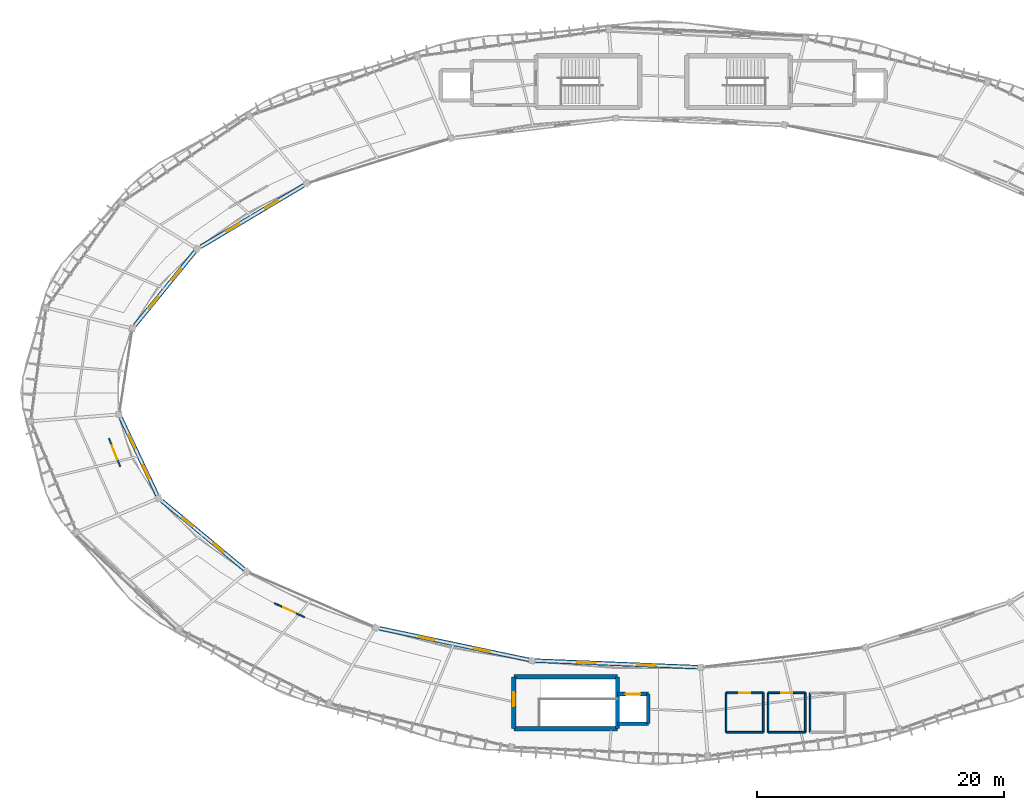
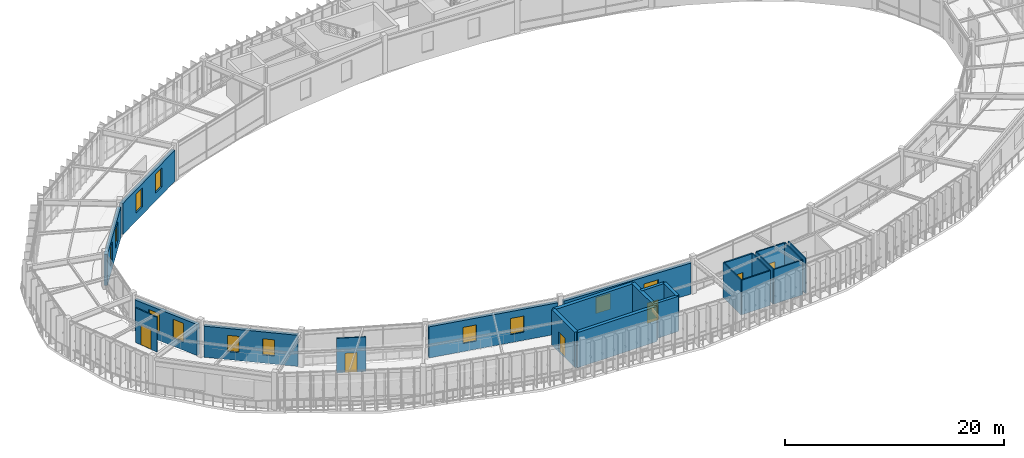
# One storey, part 68 of 78: 24 walls, 12 windows, 6 doors, 18 openings.
"""IFC4 building model written with IfcOpenShell, lengths in metres."""

from ifc_helpers import new_model, si_unit, direction, frame, frame_2d, origin, place, context, subcontext, project, spatial, rectangle, extrude, material, layer, layer_set, type_object, element, fill, save


model = new_model("IFC4")

# Units and contexts
model_context = context("Model", 3, precision=1e-05, world=origin(), true_north=direction((0.0, 1.0)))
body_context = subcontext(model_context, "Body", "Model", "MODEL_VIEW")
ifc_project = project(units=[si_unit("LENGTHUNIT", "METRE"), si_unit("AREAUNIT", "SQUARE_METRE"), si_unit("VOLUMEUNIT", "CUBIC_METRE"), si_unit("PLANEANGLEUNIT", "RADIAN"), si_unit("MASSUNIT", "GRAM", prefix="KILO"), si_unit("THERMODYNAMICTEMPERATUREUNIT", "KELVIN"), si_unit("POWERUNIT", "WATT")], contexts=[model_context])

# Site, building, storey
site_placement = place(None, origin())
site = spatial("IfcSite", under=ifc_project, at=site_placement, CompositionType="ELEMENT")
building_placement = place(site_placement, origin())
building = spatial("IfcBuilding", under=site, at=building_placement, Name="Darbajah Civic Hall", CompositionType="ELEMENT")
storey_placement = place(building_placement, frame((0.0, 0.0, 26.39990234375)))
storey = spatial("IfcBuildingStorey", under=building, at=storey_placement, Name="L06", CompositionType="ELEMENT", Elevation=26.39990234375)

# Wall, opening, door
ifc_material_1 = material(Name="Concrete C45/55", Category="concrete")
ifc_layer_1 = layer(ifc_material_1, 0.300048828125, Name="Concrete C45/55")
ifc_layer_set_1 = layer_set([ifc_layer_1], Name="Concrete C45/55")
wall_type_1 = type_object("IfcWallType", Name="Core Shear Wall 300mm", PredefinedType="SHEAR", material=ifc_layer_set_1)
wall_1_placement = place(storey_placement, frame((88.300048828125, 65.39990234375, 0.0), z_axis=(0.0, 0.0, 1.0), x_axis=(-1.0, 0.0, 0.0)))
wall_1 = element("IfcWall", 1, at=wall_1_placement, inside=storey, type_object=wall_type_1, Name="L06 lift PL1 shaft wall N", PredefinedType="SHEAR", context=body_context, shape_type="SweptSolid", body=[
    extrude(rectangle(XDim=2.5, YDim=0.300048828125, at=frame_2d((1.25, 0.0))), origin(), (0.0, 0.0, 1.0), 3.920166015625),
])
opening_1_placement = place(wall_1_placement, frame((0.64990234375, 0.0, 0.0)))
opening_1 = element("IfcOpeningElement", 2, at=opening_1_placement, cuts=wall_1, Name="Opening LD-0056", PredefinedType="OPENING", context=body_context, shape_type="SweptSolid", body=[
    extrude(rectangle(XDim=1.199951171875, YDim=2.25, at=frame_2d((0.60009765625, 1.125))), frame((0.0, 0.159912109375, 0.0), z_axis=(0.0, -1.0, 0.0), x_axis=(1.0, 0.0, 0.0)), (0.0, 0.0, 1.0), 0.320068359375),
])
ifc_material_2 = material(Name="Stainless Lift Landing Door")
door_type_1 = type_object("IfcDoorType", Name="Lift Landing Door 1200x2250", OperationType="SLIDING_TO_LEFT", PredefinedType="DOOR", material=ifc_material_2)
door_1_placement = place(opening_1_placement, origin())
door_1 = element("IfcDoor", 3, at=door_1_placement, inside=storey, type_object=door_type_1, Name="L06 lift PL1 landing door LD-0056", OperationType="SLIDING_TO_LEFT", OverallHeight=2.25, OverallWidth=1.199951171875, PredefinedType="DOOR", context=body_context, shape_type="SweptSolid", body=[
    extrude(rectangle(XDim=1.199951171875, YDim=2.25, at=frame_2d((0.60009765625, 1.125))), frame((0.0, 0.02490234375, 0.0), z_axis=(0.0, -1.0, 0.0), x_axis=(1.0, 0.0, 0.0)), (0.0, 0.0, 1.0), 0.050048828125),
])
fill(opening_1, door_1)

# Walls
wall_2_placement = place(storey_placement, frame((85.800048828125, 63.0, 0.0), z_axis=(0.0, 0.0, 1.0), x_axis=(1.0, 0.0, 0.0)))
element("IfcWall", 4, at=wall_2_placement, inside=storey, type_object=wall_type_1, Name="L06 lift PL1 shaft wall S", PredefinedType="SHEAR", context=body_context, shape_type="SweptSolid", body=[
    extrude(rectangle(XDim=2.5, YDim=0.300048828125, at=frame_2d((1.25, 0.0))), origin(), (0.0, 0.0, 1.0), 3.920166015625),
])
wall_3_placement = place(storey_placement, frame((88.300048828125, 63.0, 0.0), z_axis=(0.0, 0.0, 1.0), x_axis=(0.0, 1.0, 0.0)))
element("IfcWall", 5, at=wall_3_placement, inside=storey, type_object=wall_type_1, Name="L06 lift PL1 shaft wall E", PredefinedType="SHEAR", context=body_context, shape_type="SweptSolid", body=[
    extrude(rectangle(XDim=2.39990234375, YDim=0.300048828125, at=frame_2d((1.199951171875, 0.0))), origin(), (0.0, 0.0, 1.0), 3.920166015625),
])
ifc_material_3 = material(Name="Concrete C50/60", Category="concrete")
ifc_layer_2 = layer(ifc_material_3, 0.35009765625, Name="Concrete C50/60")
ifc_layer_set_2 = layer_set([ifc_layer_2], Name="Concrete C50/60")
wall_type_2 = type_object("IfcWallType", Name="Core Shear Wall 350mm", PredefinedType="SHEAR", material=ifc_layer_set_2)
wall_4_placement = place(storey_placement, frame((77.39990234375, 62.60009765625, 0.0), z_axis=(0.0, 0.0, 1.0), x_axis=(1.0, 0.0, 0.0)))
element("IfcWall", 6, at=wall_4_placement, inside=storey, type_object=wall_type_2, Name="L06 core C03 shear wall S", PredefinedType="SHEAR", context=body_context, shape_type="SweptSolid", body=[
    extrude(rectangle(XDim=8.400146484375, YDim=0.35009765625, at=frame_2d((4.2001953125, 0.0))), origin(), (0.0, 0.0, 1.0), 3.920166015625),
])
wall_5_placement = place(storey_placement, frame((85.800048828125, 62.60009765625, 0.0), z_axis=(0.0, 0.0, 1.0), x_axis=(0.0, 1.0, 0.0)))
element("IfcWall", 7, at=wall_5_placement, inside=storey, type_object=wall_type_2, Name="L06 core C03 shear wall E", PredefinedType="SHEAR", context=body_context, shape_type="SweptSolid", body=[
    extrude(rectangle(XDim=4.199951171875, YDim=0.35009765625, at=frame_2d((2.10009765625, 0.0))), origin(), (0.0, 0.0, 1.0), 3.920166015625),
])
wall_6_placement = place(storey_placement, frame((85.800048828125, 66.800048828125, 0.0), z_axis=(0.0, 0.0, 1.0), x_axis=(-1.0, 0.0, 0.0)))
element("IfcWall", 8, at=wall_6_placement, inside=storey, type_object=wall_type_2, Name="L06 core C03 shear wall N", PredefinedType="SHEAR", context=body_context, shape_type="SweptSolid", body=[
    extrude(rectangle(XDim=8.400146484375, YDim=0.35009765625, at=frame_2d((4.2001953125, 0.0))), origin(), (0.0, 0.0, 1.0), 3.920166015625),
])

# Wall, opening, door
wall_7_placement = place(storey_placement, frame((77.39990234375, 66.800048828125, 0.0), z_axis=(0.0, 0.0, 1.0), x_axis=(0.0, -1.0, 0.0)))
wall_7 = element("IfcWall", 9, at=wall_7_placement, inside=storey, type_object=wall_type_2, Name="L06 core C03 shear wall W", PredefinedType="SHEAR", context=body_context, shape_type="SweptSolid", body=[
    extrude(rectangle(XDim=4.199951171875, YDim=0.35009765625, at=frame_2d((2.10009765625, 0.0))), origin(), (0.0, 0.0, 1.0), 3.920166015625),
])
opening_2_placement = place(wall_7_placement, frame((1.25, 0.0, 0.0)))
opening_2 = element("IfcOpeningElement", 10, at=opening_2_placement, cuts=wall_7, Name="Opening SD-0049", PredefinedType="OPENING", context=body_context, shape_type="SweptSolid", body=[
    extrude(rectangle(XDim=1.14990234375, YDim=2.199951171875, at=frame_2d((0.574951171875, 1.10009765625))), frame((0.0, 0.18505859375, 0.0), z_axis=(0.0, -1.0, 0.0), x_axis=(1.0, 0.0, 0.0)), (0.0, 0.0, 1.0), 0.3701171875),
])
ifc_material_4 = material(Name="Steel Rated Core Door", Category="steel")
door_type_2 = type_object("IfcDoorType", Name="Interior Door 1150x2200", OperationType="NOTDEFINED", PredefinedType="DOOR", material=ifc_material_4)
door_2_placement = place(opening_2_placement, origin())
door_2 = element("IfcDoor", 11, at=door_2_placement, inside=storey, type_object=door_type_2, Name="L06 stair ST03 fire door SD-0049", OperationType="SINGLE_SWING_RIGHT", OverallHeight=2.199951171875, OverallWidth=1.14990234375, PredefinedType="DOOR", context=body_context, shape_type="SweptSolid", body=[
    extrude(rectangle(XDim=1.14990234375, YDim=2.199951171875, at=frame_2d((0.574951171875, 1.10009765625))), frame((0.0, 0.02490234375, 0.0), z_axis=(0.0, -1.0, 0.0), x_axis=(1.0, 0.0, 0.0)), (0.0, 0.0, 1.0), 0.050048828125),
])
fill(opening_2, door_2)

# Wall, openings, windows
ifc_material_5 = material(Name="Qatari Desert Limestone Ashlar", Category="masonry")
ifc_layer_3 = layer(ifc_material_5, 0.340087890625, Name="Qatari Desert Limestone Ashlar")
ifc_layer_set_3 = layer_set([ifc_layer_3], Name="Qatari Desert Limestone Ashlar")
wall_type_3 = type_object("IfcWallType", Name="Exterior Wall 340mm", PredefinedType="SOLIDWALL", material=ifc_layer_set_3)
wall_8_placement = place(storey_placement, frame((60.40478515625, 106.6083984375, 0.0), z_axis=(0.0, 0.0, 1.0), x_axis=(-0.858952703764, -0.512054931327, 0.0)))
wall_8 = element("IfcWall", 12, at=wall_8_placement, inside=storey, type_object=wall_type_3, Name="L06 exterior wall EW-340", PredefinedType="SOLIDWALL", context=body_context, shape_type="SweptSolid", body=[
    extrude(rectangle(XDim=9.731201171875, YDim=0.340087890625, at=frame_2d((4.86572265625, 0.0))), origin(), (0.0, 0.0, 1.0), 3.463134765625),
])
opening_3_placement = place(wall_8_placement, frame((2.443603515625, 0.0, 0.89990234375)))
opening_3 = element("IfcOpeningElement", 13, at=opening_3_placement, cuts=wall_8, Name="Opening WN-01", PredefinedType="OPENING", context=body_context, shape_type="SweptSolid", body=[
    extrude(rectangle(XDim=1.199951171875, YDim=2.10009765625, at=frame_2d((0.60009765625, 1.050048828125))), frame((0.0, 0.179931640625, 0.0), z_axis=(0.0, -1.0, 0.0), x_axis=(1.0, 0.0, 0.0)), (0.0, 0.0, 1.0), 0.360107421875),
])
opening_4_placement = place(wall_8_placement, frame((6.08740234375, 0.0, 0.89990234375)))
opening_4 = element("IfcOpeningElement", 14, at=opening_4_placement, cuts=wall_8, Name="Opening WN-01", PredefinedType="OPENING", context=body_context, shape_type="SweptSolid", body=[
    extrude(rectangle(XDim=1.199951171875, YDim=2.10009765625, at=frame_2d((0.60009765625, 1.050048828125))), frame((0.0, 0.179931640625, 0.0), z_axis=(0.0, -1.0, 0.0), x_axis=(1.0, 0.0, 0.0)), (0.0, 0.0, 1.0), 0.360107421875),
])
ifc_material_6 = material(Name="Low-E Solar Control Double Glazing", Category="glass")
window_type_1 = type_object("IfcWindowType", Name="Facade Window 1200x2100", PartitioningType="SINGLE_PANEL", PredefinedType="WINDOW", material=ifc_material_6)
window_1_placement = place(opening_3_placement, origin())
window_1 = element("IfcWindow", 15, at=window_1_placement, inside=storey, type_object=window_type_1, Name="L06 facade window WN-01", OverallHeight=2.10009765625, OverallWidth=1.199951171875, PartitioningType="SINGLE_PANEL", PredefinedType="WINDOW", context=body_context, shape_type="SweptSolid", body=[
    extrude(rectangle(XDim=1.199951171875, YDim=2.10009765625, at=frame_2d((0.60009765625, 1.050048828125))), frame((0.0, 0.030029296875, 0.0), z_axis=(0.0, -1.0, 0.0), x_axis=(1.0, 0.0, 0.0)), (0.0, 0.0, 1.0), 0.06005859375),
])
fill(opening_3, window_1)
window_2_placement = place(opening_4_placement, origin())
window_2 = element("IfcWindow", 16, at=window_2_placement, inside=storey, type_object=window_type_1, Name="L06 facade window WN-01", OverallHeight=2.10009765625, OverallWidth=1.199951171875, PartitioningType="SINGLE_PANEL", PredefinedType="WINDOW", context=body_context, shape_type="SweptSolid", body=[
    extrude(rectangle(XDim=1.199951171875, YDim=2.10009765625, at=frame_2d((0.60009765625, 1.050048828125))), frame((0.0, 0.030029296875, 0.0), z_axis=(0.0, -1.0, 0.0), x_axis=(1.0, 0.0, 0.0)), (0.0, 0.0, 1.0), 0.06005859375),
])
fill(opening_4, window_2)

wall_9_placement = place(storey_placement, frame((51.57568359375, 101.232177734375, 0.0), z_axis=(0.0, 0.0, 1.0), x_axis=(-0.631088438645, -0.775710888546, 0.0)))
wall_9 = element("IfcWall", 17, at=wall_9_placement, inside=storey, type_object=wall_type_3, Name="L06 exterior wall EW-340", PredefinedType="SOLIDWALL", context=body_context, shape_type="SweptSolid", body=[
    extrude(rectangle(XDim=7.691162109375, YDim=0.340087890625, at=frame_2d((3.845703125, 0.0))), origin(), (0.0, 0.0, 1.0), 3.463134765625),
])
opening_5_placement = place(wall_9_placement, frame((1.763916015625, 0.0, 0.89990234375)))
opening_5 = element("IfcOpeningElement", 18, at=opening_5_placement, cuts=wall_9, Name="Opening WN-01", PredefinedType="OPENING", context=body_context, shape_type="SweptSolid", body=[
    extrude(rectangle(XDim=1.199951171875, YDim=2.10009765625, at=frame_2d((0.60009765625, 1.050048828125))), frame((0.0, 0.179931640625, 0.0), z_axis=(0.0, -1.0, 0.0), x_axis=(1.0, 0.0, 0.0)), (0.0, 0.0, 1.0), 0.360107421875),
])
opening_6_placement = place(wall_9_placement, frame((4.7275390625, 0.0, 0.89990234375)))
opening_6 = element("IfcOpeningElement", 19, at=opening_6_placement, cuts=wall_9, Name="Opening WN-01", PredefinedType="OPENING", context=body_context, shape_type="SweptSolid", body=[
    extrude(rectangle(XDim=1.199951171875, YDim=2.10009765625, at=frame_2d((0.60009765625, 1.050048828125))), frame((0.0, 0.179931640625, 0.0), z_axis=(0.0, -1.0, 0.0), x_axis=(1.0, 0.0, 0.0)), (0.0, 0.0, 1.0), 0.360107421875),
])
window_3_placement = place(opening_5_placement, origin())
window_3 = element("IfcWindow", 20, at=window_3_placement, inside=storey, type_object=window_type_1, Name="L06 facade window WN-01", OverallHeight=2.10009765625, OverallWidth=1.199951171875, PartitioningType="SINGLE_PANEL", PredefinedType="WINDOW", context=body_context, shape_type="SweptSolid", body=[
    extrude(rectangle(XDim=1.199951171875, YDim=2.10009765625, at=frame_2d((0.60009765625, 1.050048828125))), frame((0.0, 0.030029296875, 0.0), z_axis=(0.0, -1.0, 0.0), x_axis=(1.0, 0.0, 0.0)), (0.0, 0.0, 1.0), 0.06005859375),
])
fill(opening_5, window_3)
window_4_placement = place(opening_6_placement, origin())
window_4 = element("IfcWindow", 21, at=window_4_placement, inside=storey, type_object=window_type_1, Name="L06 facade window WN-01", OverallHeight=2.10009765625, OverallWidth=1.199951171875, PartitioningType="SINGLE_PANEL", PredefinedType="WINDOW", context=body_context, shape_type="SweptSolid", body=[
    extrude(rectangle(XDim=1.199951171875, YDim=2.10009765625, at=frame_2d((0.60009765625, 1.050048828125))), frame((0.0, 0.030029296875, 0.0), z_axis=(0.0, -1.0, 0.0), x_axis=(1.0, 0.0, 0.0)), (0.0, 0.0, 1.0), 0.06005859375),
])
fill(opening_6, window_4)

wall_10_placement = place(storey_placement, frame((45.5732421875, 87.757080078125, 0.0), z_axis=(0.0, 0.0, 1.0), x_axis=(0.42649766166, -0.904488664715, 0.0)))
wall_10 = element("IfcWall", 22, at=wall_10_placement, inside=storey, type_object=wall_type_3, Name="L06 exterior wall EW-340", PredefinedType="SOLIDWALL", context=body_context, shape_type="SweptSolid", body=[
    extrude(rectangle(XDim=6.91259765625, YDim=0.340087890625, at=frame_2d((3.456298828125, 0.0))), origin(), (0.0, 0.0, 1.0), 3.463134765625),
])
opening_7_placement = place(wall_10_placement, frame((1.504150390625, 0.0, 0.89990234375)))
opening_7 = element("IfcOpeningElement", 23, at=opening_7_placement, cuts=wall_10, Name="Opening WN-01", PredefinedType="OPENING", context=body_context, shape_type="SweptSolid", body=[
    extrude(rectangle(XDim=1.199951171875, YDim=2.10009765625, at=frame_2d((0.60009765625, 1.050048828125))), frame((0.0, 0.179931640625, 0.0), z_axis=(0.0, -1.0, 0.0), x_axis=(1.0, 0.0, 0.0)), (0.0, 0.0, 1.0), 0.360107421875),
])
opening_8_placement = place(wall_10_placement, frame((4.20849609375, 0.0, 0.89990234375)))
opening_8 = element("IfcOpeningElement", 24, at=opening_8_placement, cuts=wall_10, Name="Opening WN-01", PredefinedType="OPENING", context=body_context, shape_type="SweptSolid", body=[
    extrude(rectangle(XDim=1.199951171875, YDim=2.10009765625, at=frame_2d((0.60009765625, 1.050048828125))), frame((0.0, 0.179931640625, 0.0), z_axis=(0.0, -1.0, 0.0), x_axis=(1.0, 0.0, 0.0)), (0.0, 0.0, 1.0), 0.360107421875),
])
window_5_placement = place(opening_7_placement, origin())
window_5 = element("IfcWindow", 25, at=window_5_placement, inside=storey, type_object=window_type_1, Name="L06 facade window WN-01", OverallHeight=2.10009765625, OverallWidth=1.199951171875, PartitioningType="SINGLE_PANEL", PredefinedType="WINDOW", context=body_context, shape_type="SweptSolid", body=[
    extrude(rectangle(XDim=1.199951171875, YDim=2.10009765625, at=frame_2d((0.60009765625, 1.050048828125))), frame((0.0, 0.030029296875, 0.0), z_axis=(0.0, -1.0, 0.0), x_axis=(1.0, 0.0, 0.0)), (0.0, 0.0, 1.0), 0.06005859375),
])
fill(opening_7, window_5)
window_6_placement = place(opening_8_placement, origin())
window_6 = element("IfcWindow", 26, at=window_6_placement, inside=storey, type_object=window_type_1, Name="L06 facade window WN-01", OverallHeight=2.10009765625, OverallWidth=1.199951171875, PartitioningType="SINGLE_PANEL", PredefinedType="WINDOW", context=body_context, shape_type="SweptSolid", body=[
    extrude(rectangle(XDim=1.199951171875, YDim=2.10009765625, at=frame_2d((0.60009765625, 1.050048828125))), frame((0.0, 0.030029296875, 0.0), z_axis=(0.0, -1.0, 0.0), x_axis=(1.0, 0.0, 0.0)), (0.0, 0.0, 1.0), 0.06005859375),
])
fill(opening_8, window_6)

wall_11_placement = place(storey_placement, frame((48.8955078125, 81.049072265625, 0.0), z_axis=(0.0, 0.0, 1.0), x_axis=(0.76916356776, -0.639051958788, 0.0)))
wall_11 = element("IfcWall", 27, at=wall_11_placement, inside=storey, type_object=wall_type_3, Name="L06 exterior wall EW-340", PredefinedType="SOLIDWALL", context=body_context, shape_type="SweptSolid", body=[
    extrude(rectangle(XDim=8.67822265625, YDim=0.340087890625, at=frame_2d((4.339111328125, 0.0))), origin(), (0.0, 0.0, 1.0), 3.463134765625),
])
opening_9_placement = place(wall_11_placement, frame((2.159423828125, 0.0, 0.89990234375)))
opening_9 = element("IfcOpeningElement", 28, at=opening_9_placement, cuts=wall_11, Name="Opening WN-17", PredefinedType="OPENING", context=body_context, shape_type="SweptSolid", body=[
    extrude(rectangle(XDim=1.10009765625, YDim=1.800048828125, at=frame_2d((0.550048828125, 0.89990234375))), frame((0.0, 0.179931640625, 0.0), z_axis=(0.0, -1.0, 0.0), x_axis=(1.0, 0.0, 0.0)), (0.0, 0.0, 1.0), 0.360107421875),
])
opening_10_placement = place(wall_11_placement, frame((5.4189453125, 0.0, 0.89990234375)))
opening_10 = element("IfcOpeningElement", 29, at=opening_10_placement, cuts=wall_11, Name="Opening WN-17", PredefinedType="OPENING", context=body_context, shape_type="SweptSolid", body=[
    extrude(rectangle(XDim=1.10009765625, YDim=1.800048828125, at=frame_2d((0.550048828125, 0.89990234375))), frame((0.0, 0.179931640625, 0.0), z_axis=(0.0, -1.0, 0.0), x_axis=(1.0, 0.0, 0.0)), (0.0, 0.0, 1.0), 0.360107421875),
])
window_type_2 = type_object("IfcWindowType", Name="Facade Window 1100x1800", PartitioningType="SINGLE_PANEL", PredefinedType="WINDOW", material=ifc_material_6)
window_7_placement = place(opening_9_placement, origin())
window_7 = element("IfcWindow", 30, at=window_7_placement, inside=storey, type_object=window_type_2, Name="L06 facade window WN-17", OverallHeight=1.800048828125, OverallWidth=1.10009765625, PartitioningType="SINGLE_PANEL", PredefinedType="WINDOW", context=body_context, shape_type="SweptSolid", body=[
    extrude(rectangle(XDim=1.10009765625, YDim=1.800048828125, at=frame_2d((0.550048828125, 0.89990234375))), frame((0.0, 0.030029296875, 0.0), z_axis=(0.0, -1.0, 0.0), x_axis=(1.0, 0.0, 0.0)), (0.0, 0.0, 1.0), 0.06005859375),
])
fill(opening_9, window_7)
window_8_placement = place(opening_10_placement, origin())
window_8 = element("IfcWindow", 31, at=window_8_placement, inside=storey, type_object=window_type_2, Name="L06 facade window WN-17", OverallHeight=1.800048828125, OverallWidth=1.10009765625, PartitioningType="SINGLE_PANEL", PredefinedType="WINDOW", context=body_context, shape_type="SweptSolid", body=[
    extrude(rectangle(XDim=1.10009765625, YDim=1.800048828125, at=frame_2d((0.550048828125, 0.89990234375))), frame((0.0, 0.030029296875, 0.0), z_axis=(0.0, -1.0, 0.0), x_axis=(1.0, 0.0, 0.0)), (0.0, 0.0, 1.0), 0.06005859375),
])
fill(opening_10, window_8)

wall_12_placement = place(storey_placement, frame((66.529052734375, 70.7197265625, 0.0), z_axis=(0.0, 0.0, 1.0), x_axis=(0.978481192581, -0.206336026337, 0.0)))
wall_12 = element("IfcWall", 32, at=wall_12_placement, inside=storey, type_object=wall_type_3, Name="L06 exterior wall EW-340", PredefinedType="SOLIDWALL", context=body_context, shape_type="SweptSolid", body=[
    extrude(rectangle(XDim=12.358642578125, YDim=0.340087890625, at=frame_2d((6.17919921875, 0.0))), origin(), (0.0, 0.0, 1.0), 3.463134765625),
])
opening_11_placement = place(wall_12_placement, frame((3.2529296875, 0.0, 0.89990234375)))
opening_11 = element("IfcOpeningElement", 33, at=opening_11_placement, cuts=wall_12, Name="Opening WN-18", PredefinedType="OPENING", context=body_context, shape_type="SweptSolid", body=[
    extrude(rectangle(XDim=1.300048828125, YDim=1.800048828125, at=frame_2d((0.64990234375, 0.89990234375))), frame((0.0, 0.179931640625, 0.0), z_axis=(0.0, -1.0, 0.0), x_axis=(1.0, 0.0, 0.0)), (0.0, 0.0, 1.0), 0.360107421875),
])
opening_12_placement = place(wall_12_placement, frame((7.805908203125, 0.0, 0.89990234375)))
opening_12 = element("IfcOpeningElement", 34, at=opening_12_placement, cuts=wall_12, Name="Opening WN-18", PredefinedType="OPENING", context=body_context, shape_type="SweptSolid", body=[
    extrude(rectangle(XDim=1.300048828125, YDim=1.800048828125, at=frame_2d((0.64990234375, 0.89990234375))), frame((0.0, 0.179931640625, 0.0), z_axis=(0.0, -1.0, 0.0), x_axis=(1.0, 0.0, 0.0)), (0.0, 0.0, 1.0), 0.360107421875),
])
window_type_3 = type_object("IfcWindowType", Name="Facade Window 1300x1800", PartitioningType="SINGLE_PANEL", PredefinedType="WINDOW", material=ifc_material_6)
window_9_placement = place(opening_11_placement, origin())
window_9 = element("IfcWindow", 35, at=window_9_placement, inside=storey, type_object=window_type_3, Name="L06 facade window WN-18", OverallHeight=1.800048828125, OverallWidth=1.300048828125, PartitioningType="SINGLE_PANEL", PredefinedType="WINDOW", context=body_context, shape_type="SweptSolid", body=[
    extrude(rectangle(XDim=1.300048828125, YDim=1.800048828125, at=frame_2d((0.64990234375, 0.89990234375))), frame((0.0, 0.030029296875, 0.0), z_axis=(0.0, -1.0, 0.0), x_axis=(1.0, 0.0, 0.0)), (0.0, 0.0, 1.0), 0.06005859375),
])
fill(opening_11, window_9)
window_10_placement = place(opening_12_placement, origin())
window_10 = element("IfcWindow", 36, at=window_10_placement, inside=storey, type_object=window_type_3, Name="L06 facade window WN-18", OverallHeight=1.800048828125, OverallWidth=1.300048828125, PartitioningType="SINGLE_PANEL", PredefinedType="WINDOW", context=body_context, shape_type="SweptSolid", body=[
    extrude(rectangle(XDim=1.300048828125, YDim=1.800048828125, at=frame_2d((0.64990234375, 0.89990234375))), frame((0.0, 0.030029296875, 0.0), z_axis=(0.0, -1.0, 0.0), x_axis=(1.0, 0.0, 0.0)), (0.0, 0.0, 1.0), 0.06005859375),
])
fill(opening_12, window_10)

wall_13_placement = place(storey_placement, frame((79.170654296875, 68.1044921875, 0.0), z_axis=(0.0, 0.0, 1.0), x_axis=(0.999197261913, -0.040060351782, 0.0)))
wall_13 = element("IfcWall", 37, at=wall_13_placement, inside=storey, type_object=wall_type_3, Name="L06 exterior wall EW-340", PredefinedType="SOLIDWALL", context=body_context, shape_type="SweptSolid", body=[
    extrude(rectangle(XDim=13.0966796875, YDim=0.340087890625, at=frame_2d((6.54833984375, 0.0))), origin(), (0.0, 0.0, 1.0), 3.463134765625),
])
opening_13_placement = place(wall_13_placement, frame((3.365478515625, 0.0, 0.89990234375)))
opening_13 = element("IfcOpeningElement", 38, at=opening_13_placement, cuts=wall_13, Name="Opening WN-19", PredefinedType="OPENING", context=body_context, shape_type="SweptSolid", body=[
    extrude(rectangle(XDim=1.5, YDim=1.800048828125, at=frame_2d((0.75, 0.89990234375))), frame((0.0, 0.179931640625, 0.0), z_axis=(0.0, -1.0, 0.0), x_axis=(1.0, 0.0, 0.0)), (0.0, 0.0, 1.0), 0.360107421875),
])
opening_14_placement = place(wall_13_placement, frame((8.231201171875, 0.0, 0.89990234375)))
opening_14 = element("IfcOpeningElement", 39, at=opening_14_placement, cuts=wall_13, Name="Opening WN-19", PredefinedType="OPENING", context=body_context, shape_type="SweptSolid", body=[
    extrude(rectangle(XDim=1.5, YDim=1.800048828125, at=frame_2d((0.75, 0.89990234375))), frame((0.0, 0.179931640625, 0.0), z_axis=(0.0, -1.0, 0.0), x_axis=(1.0, 0.0, 0.0)), (0.0, 0.0, 1.0), 0.360107421875),
])
window_type_4 = type_object("IfcWindowType", Name="Facade Window 1500x1800", PartitioningType="SINGLE_PANEL", PredefinedType="WINDOW", material=ifc_material_6)
window_11_placement = place(opening_13_placement, origin())
window_11 = element("IfcWindow", 40, at=window_11_placement, inside=storey, type_object=window_type_4, Name="L06 facade window WN-19", OverallHeight=1.800048828125, OverallWidth=1.5, PartitioningType="SINGLE_PANEL", PredefinedType="WINDOW", context=body_context, shape_type="SweptSolid", body=[
    extrude(rectangle(XDim=1.5, YDim=1.800048828125, at=frame_2d((0.75, 0.89990234375))), frame((0.0, 0.030029296875, 0.0), z_axis=(0.0, -1.0, 0.0), x_axis=(1.0, 0.0, 0.0)), (0.0, 0.0, 1.0), 0.06005859375),
])
fill(opening_13, window_11)
window_12_placement = place(opening_14_placement, origin())
window_12 = element("IfcWindow", 41, at=window_12_placement, inside=storey, type_object=window_type_4, Name="L06 facade window WN-19", OverallHeight=1.800048828125, OverallWidth=1.5, PartitioningType="SINGLE_PANEL", PredefinedType="WINDOW", context=body_context, shape_type="SweptSolid", body=[
    extrude(rectangle(XDim=1.5, YDim=1.800048828125, at=frame_2d((0.75, 0.89990234375))), frame((0.0, 0.030029296875, 0.0), z_axis=(0.0, -1.0, 0.0), x_axis=(1.0, 0.0, 0.0)), (0.0, 0.0, 1.0), 0.06005859375),
])
fill(opening_14, window_12)

# Wall, opening, door
ifc_material_7 = material(Name="Acoustic Gypsum Partition")
ifc_layer_4 = layer(ifc_material_7, 0.114990234375, Name="Acoustic Gypsum Partition")
ifc_layer_set_4 = layer_set([ifc_layer_4], Name="Acoustic Gypsum Partition")
wall_type_4 = type_object("IfcWallType", Name="Interior Partition 115mm", PredefinedType="PARTITIONING", material=ifc_layer_set_4)
wall_14_placement = place(storey_placement, frame((60.444580078125, 71.628173828125, 0.0), z_axis=(0.0, 0.0, 1.0), x_axis=(-0.907290218326, 0.420505005595, 0.0)))
wall_14 = element("IfcWall", 42, at=wall_14_placement, inside=storey, type_object=wall_type_4, Name="L06 interior partition L06-V1-06", PredefinedType="PARTITIONING", context=body_context, shape_type="SweptSolid", body=[
    extrude(rectangle(XDim=2.674072265625, YDim=0.114990234375, at=frame_2d((1.3369140625, 0.0))), origin(), (0.0, 0.0, 1.0), 3.860107421875),
])
opening_15_placement = place(wall_14_placement, frame((0.787109375, 0.0, 0.0)))
opening_15 = element("IfcOpeningElement", 43, at=opening_15_placement, cuts=wall_14, Name="Opening D-0270", PredefinedType="OPENING", context=body_context, shape_type="SweptSolid", body=[
    extrude(rectangle(XDim=1.10009765625, YDim=2.14990234375, at=frame_2d((0.550048828125, 1.074951171875))), frame((0.0, 0.0673828125, 0.0), z_axis=(0.0, -1.0, 0.0), x_axis=(1.0, 0.0, 0.0)), (0.0, 0.0, 1.0), 0.135009765625),
])
ifc_material_8 = material(Name="Acoustic Oak Office Door")
door_type_3 = type_object("IfcDoorType", Name="Interior Door 1100x2150", OperationType="NOTDEFINED", PredefinedType="DOOR", material=ifc_material_8)
door_3_placement = place(opening_15_placement, origin())
door_3 = element("IfcDoor", 44, at=door_3_placement, inside=storey, type_object=door_type_3, Name="L06 L06-V1-06 door D-0270", OperationType="SINGLE_SWING_LEFT", OverallHeight=2.14990234375, OverallWidth=1.10009765625, PredefinedType="DOOR", context=body_context, shape_type="SweptSolid", body=[
    extrude(rectangle(XDim=1.10009765625, YDim=2.14990234375, at=frame_2d((0.550048828125, 1.074951171875))), frame((0.0, 0.02490234375, 0.0), z_axis=(0.0, -1.0, 0.0), x_axis=(1.0, 0.0, 0.0)), (0.0, 0.0, 1.0), 0.050048828125),
])
fill(opening_15, door_3)

ifc_material_9 = material(Name="Gypsum Plasterboard on Steel Stud", Category="steel")
ifc_layer_5 = layer(ifc_material_9, 0.135009765625, Name="Gypsum Plasterboard on Steel Stud")
ifc_layer_set_5 = layer_set([ifc_layer_5], Name="Gypsum Plasterboard on Steel Stud")
wall_type_5 = type_object("IfcWallType", Name="Interior Partition 135mm", PredefinedType="PARTITIONING", material=ifc_layer_set_5)
wall_15_placement = place(storey_placement, frame((45.53466796875, 83.80419921875, 0.0), z_axis=(0.0, 0.0, 1.0), x_axis=(-0.37328182153, 0.927717996869, 0.0)))
wall_15 = element("IfcWall", 45, at=wall_15_placement, inside=storey, type_object=wall_type_5, Name="L06 interior partition L06-V1-05", PredefinedType="PARTITIONING", context=body_context, shape_type="SweptSolid", body=[
    extrude(rectangle(XDim=2.491943359375, YDim=0.135009765625, at=frame_2d((1.24609375, 0.0))), origin(), (0.0, 0.0, 1.0), 3.860107421875),
])
opening_16_placement = place(wall_15_placement, frame((0.64599609375, 0.0, 0.0)))
opening_16 = element("IfcOpeningElement", 46, at=opening_16_placement, cuts=wall_15, Name="Opening D-0269", PredefinedType="OPENING", context=body_context, shape_type="SweptSolid", body=[
    extrude(rectangle(XDim=1.199951171875, YDim=2.199951171875, at=frame_2d((0.60009765625, 1.10009765625))), frame((0.0, 0.077392578125, 0.0), z_axis=(0.0, -1.0, 0.0), x_axis=(1.0, 0.0, 0.0)), (0.0, 0.0, 1.0), 0.155029296875),
])
ifc_material_10 = material(Name="Painted Hardwood Fire Door", Category="wood")
door_type_4 = type_object("IfcDoorType", Name="Interior Door 1200x2200", OperationType="NOTDEFINED", PredefinedType="DOOR", material=ifc_material_10)
door_4_placement = place(opening_16_placement, origin())
door_4 = element("IfcDoor", 47, at=door_4_placement, inside=storey, type_object=door_type_4, Name="L06 L06-V1-05 door D-0269", OperationType="SINGLE_SWING_RIGHT", OverallHeight=2.199951171875, OverallWidth=1.199951171875, PredefinedType="DOOR", context=body_context, shape_type="SweptSolid", body=[
    extrude(rectangle(XDim=1.199951171875, YDim=2.199951171875, at=frame_2d((0.60009765625, 1.10009765625))), frame((0.0, 0.02490234375, 0.0), z_axis=(0.0, -1.0, 0.0), x_axis=(1.0, 0.0, 0.0)), (0.0, 0.0, 1.0), 0.050048828125),
])
fill(opening_16, door_4)

# Walls
wall_16_placement = place(storey_placement, frame((94.60009765625, 62.300048828125, 0.0), z_axis=(0.0, 0.0, 1.0), x_axis=(1.0, 0.0, 0.0)))
element("IfcWall", 48, at=wall_16_placement, inside=storey, type_object=wall_type_5, Name="L06 restroom enclosure wall L06-WCM S", PredefinedType="PARTITIONING", context=body_context, shape_type="SweptSolid", body=[
    extrude(rectangle(XDim=3.0, YDim=0.135009765625, at=frame_2d((1.5, 0.0))), origin(), (0.0, 0.0, 1.0), 3.860107421875),
])
for number, where, z_axis, x_axis, name in (
    (49, (97.60009765625, 62.300048828125, 0.0), (0.0, 0.0, 1.0), (0.0, 1.0, 0.0), "L06 restroom enclosure wall L06-WCM E"),
    (50, (94.60009765625, 62.300048828125, 0.0), (0.0, 0.0, 1.0), (0.0, 1.0, 0.0), "L06 restroom enclosure wall L06-WCM W"),
):
    element("IfcWall", number, at=place(storey_placement, frame(where, z_axis=z_axis, x_axis=x_axis)), inside=storey, type_object=wall_type_5, Name=name, PredefinedType="PARTITIONING", context=body_context, shape_type="SweptSolid", body=[
        extrude(rectangle(XDim=3.199951171875, YDim=0.135009765625, at=frame_2d((1.60009765625, 0.0))), origin(), (0.0, 0.0, 1.0), 3.860107421875),
    ])
wall_17_placement = place(storey_placement, frame((98.0, 62.300048828125, 0.0), z_axis=(0.0, 0.0, 1.0), x_axis=(1.0, 0.0, 0.0)))
element("IfcWall", 51, at=wall_17_placement, inside=storey, type_object=wall_type_5, Name="L06 restroom enclosure wall L06-WCF S", PredefinedType="PARTITIONING", context=body_context, shape_type="SweptSolid", body=[
    extrude(rectangle(XDim=3.0, YDim=0.135009765625, at=frame_2d((1.5, 0.0))), origin(), (0.0, 0.0, 1.0), 3.860107421875),
])
for number, where, z_axis, x_axis, name in (
    (52, (101.0, 62.300048828125, 0.0), (0.0, 0.0, 1.0), (0.0, 1.0, 0.0), "L06 restroom enclosure wall L06-WCF E"),
    (53, (98.0, 62.300048828125, 0.0), (0.0, 0.0, 1.0), (0.0, 1.0, 0.0), "L06 restroom enclosure wall L06-WCF W"),
):
    element("IfcWall", number, at=place(storey_placement, frame(where, z_axis=z_axis, x_axis=x_axis)), inside=storey, type_object=wall_type_5, Name=name, PredefinedType="PARTITIONING", context=body_context, shape_type="SweptSolid", body=[
        extrude(rectangle(XDim=3.199951171875, YDim=0.135009765625, at=frame_2d((1.60009765625, 0.0))), origin(), (0.0, 0.0, 1.0), 3.860107421875),
    ])

# Wall, opening, door
wall_18_placement = place(storey_placement, frame((98.0, 65.5, 0.0), z_axis=(0.0, 0.0, 1.0), x_axis=(1.0, 0.0, 0.0)))
wall_18 = element("IfcWall", 54, at=wall_18_placement, inside=storey, type_object=wall_type_5, Name="L06 interior partition L06-WCF", PredefinedType="PARTITIONING", context=body_context, shape_type="SweptSolid", body=[
    extrude(rectangle(XDim=3.0, YDim=0.135009765625, at=frame_2d((1.5, 0.0))), origin(), (0.0, 0.0, 1.0), 3.860107421875),
])
opening_17_placement = place(wall_18_placement, frame((1.050048828125, 0.0, 0.0)))
opening_17 = element("IfcOpeningElement", 55, at=opening_17_placement, cuts=wall_18, Name="Opening D-0272", PredefinedType="OPENING", context=body_context, shape_type="SweptSolid", body=[
    extrude(rectangle(XDim=0.89990234375, YDim=2.10009765625, at=frame_2d((0.449951171875, 1.050048828125))), frame((0.0, 0.077392578125, 0.0), z_axis=(0.0, -1.0, 0.0), x_axis=(1.0, 0.0, 0.0)), (0.0, 0.0, 1.0), 0.155029296875),
])
ifc_material_11 = material(Name="Oak Washroom Door")
door_type_5 = type_object("IfcDoorType", Name="Interior Door 900x2100", OperationType="NOTDEFINED", PredefinedType="DOOR", material=ifc_material_11)
door_5_placement = place(opening_17_placement, origin())
door_5 = element("IfcDoor", 56, at=door_5_placement, inside=storey, type_object=door_type_5, Name="L06 L06-WCF door D-0272", OperationType="SINGLE_SWING_LEFT", OverallHeight=2.10009765625, OverallWidth=0.89990234375, PredefinedType="DOOR", context=body_context, shape_type="SweptSolid", body=[
    extrude(rectangle(XDim=0.89990234375, YDim=2.10009765625, at=frame_2d((0.449951171875, 1.050048828125))), frame((0.0, 0.02490234375, 0.0), z_axis=(0.0, -1.0, 0.0), x_axis=(1.0, 0.0, 0.0)), (0.0, 0.0, 1.0), 0.050048828125),
])
fill(opening_17, door_5)

# Wall
wall_19_placement = place(storey_placement, frame((101.39990234375, 62.300048828125, 0.0), z_axis=(0.0, 0.0, 1.0), x_axis=(0.0, 1.0, 0.0)))
element("IfcWall", 57, at=wall_19_placement, inside=storey, type_object=wall_type_5, Name="L06 restroom enclosure wall L06-WCA W", PredefinedType="PARTITIONING", context=body_context, shape_type="SweptSolid", body=[
    extrude(rectangle(XDim=3.199951171875, YDim=0.135009765625, at=frame_2d((1.60009765625, 0.0))), origin(), (0.0, 0.0, 1.0), 3.860107421875),
])

# Wall, opening, door
ifc_layer_6 = layer(ifc_material_9, 0.159912109375, Name="Gypsum Plasterboard on Steel Stud")
ifc_layer_set_6 = layer_set([ifc_layer_6], Name="Gypsum Plasterboard on Steel Stud")
wall_type_6 = type_object("IfcWallType", Name="Interior Partition 160mm", PredefinedType="PARTITIONING", material=ifc_layer_set_6)
wall_20_placement = place(storey_placement, frame((94.60009765625, 65.5, 0.0), z_axis=(0.0, 0.0, 1.0), x_axis=(1.0, 0.0, 0.0)))
wall_20 = element("IfcWall", 58, at=wall_20_placement, inside=storey, type_object=wall_type_6, Name="L06 interior partition L06-WCM", PredefinedType="PARTITIONING", context=body_context, shape_type="SweptSolid", body=[
    extrude(rectangle(XDim=3.0, YDim=0.159912109375, at=frame_2d((1.5, 0.0))), origin(), (0.0, 0.0, 1.0), 3.860107421875),
])
opening_18_placement = place(wall_20_placement, frame((1.050048828125, 0.0, 0.0)))
opening_18 = element("IfcOpeningElement", 59, at=opening_18_placement, cuts=wall_20, Name="Opening D-0271", PredefinedType="OPENING", context=body_context, shape_type="SweptSolid", body=[
    extrude(rectangle(XDim=0.89990234375, YDim=2.10009765625, at=frame_2d((0.449951171875, 1.050048828125))), frame((0.0, 0.08984375, 0.0), z_axis=(0.0, -1.0, 0.0), x_axis=(1.0, 0.0, 0.0)), (0.0, 0.0, 1.0), 0.179931640625),
])
door_6_placement = place(opening_18_placement, origin())
door_6 = element("IfcDoor", 60, at=door_6_placement, inside=storey, type_object=door_type_5, Name="L06 L06-WCM door D-0271", OperationType="SINGLE_SWING_RIGHT", OverallHeight=2.10009765625, OverallWidth=0.89990234375, PredefinedType="DOOR", context=body_context, shape_type="SweptSolid", body=[
    extrude(rectangle(XDim=0.89990234375, YDim=2.10009765625, at=frame_2d((0.449951171875, 1.050048828125))), frame((0.0, 0.02490234375, 0.0), z_axis=(0.0, -1.0, 0.0), x_axis=(1.0, 0.0, 0.0)), (0.0, 0.0, 1.0), 0.050048828125),
])
fill(opening_18, door_6)

save(model, "model.ifc")
